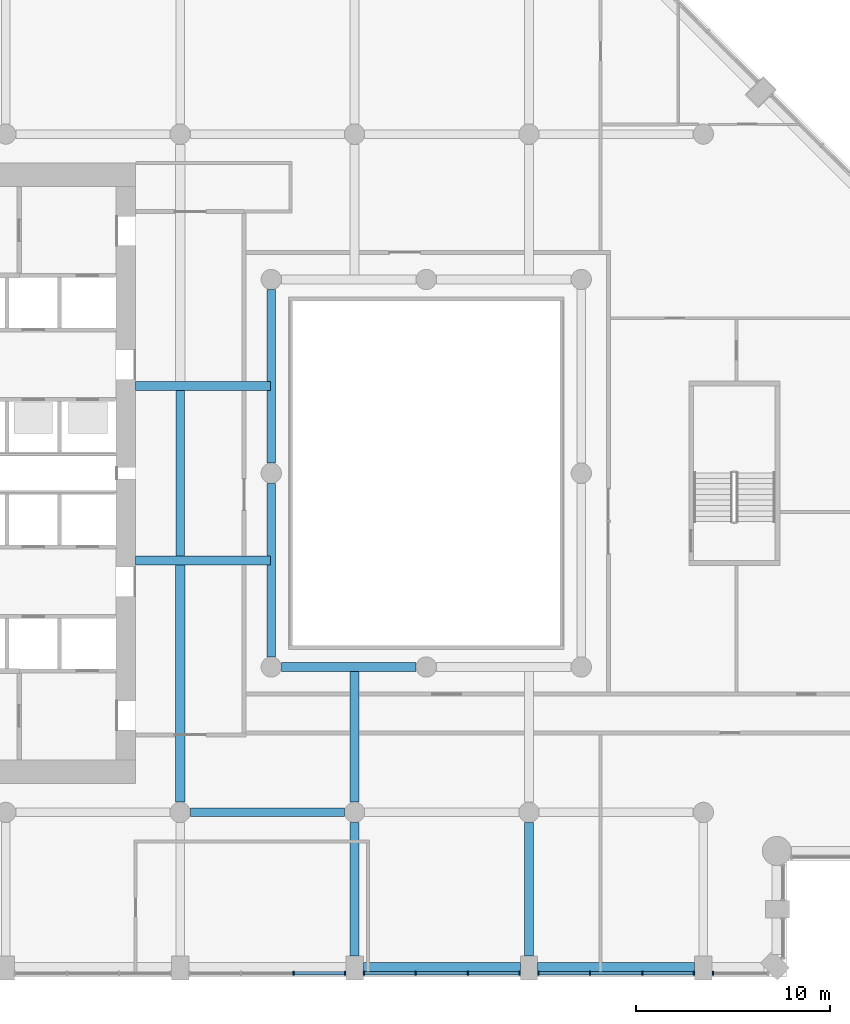
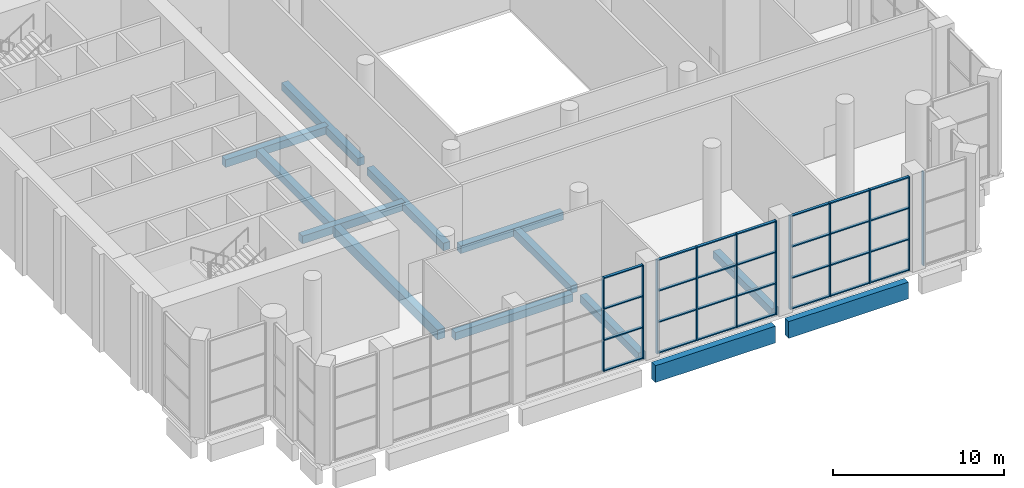
# One storey, part 3 of 22: 39 members, 13 beams, 4 elements without a shape of their own.
"""IFC4 building model written with IfcOpenShell, lengths in metres."""

from ifc_helpers import new_model, si_unit, direction, frame, origin, origin_2d, place, context, subcontext, project, spatial, rectangle, extrude, material, material_profile, profile_set, type_object, element, aggregate, save


model = new_model("IFC4")

# Units and contexts
model_context = context("Model", 3, precision=1e-05, world=origin(), true_north=direction((0.0, 1.0)))
body_context = subcontext(model_context, "Body", "Model", "MODEL_VIEW")
ifc_project = project(units=[si_unit("LENGTHUNIT", "METRE"), si_unit("AREAUNIT", "SQUARE_METRE"), si_unit("VOLUMEUNIT", "CUBIC_METRE"), si_unit("PLANEANGLEUNIT", "RADIAN"), si_unit("MASSUNIT", "GRAM", prefix="KILO")], contexts=[model_context])

# Site, building, storey
site_placement = place(None, origin())
site = spatial("IfcSite", under=ifc_project, at=site_placement, CompositionType="ELEMENT")
building_placement = place(site_placement, origin())
building = spatial("IfcBuilding", under=site, at=building_placement, Name="Cypress Arch Tower", CompositionType="ELEMENT")
storey_placement = place(building_placement, frame((0.0, 0.0, 145.5)))
storey = spatial("IfcBuildingStorey", under=building, at=storey_placement, Name="L32", CompositionType="ELEMENT", Elevation=145.5)

# Beams
ifc_material_1 = material(Name="Concrete C50/60", Category="concrete")
ifc_material_profile_1 = material_profile(ifc_material_1, rectangle(XDim=0.449951171875, YDim=0.550048828125, at=origin_2d()), Name="RC 450x550")
ifc_profile_set_1 = profile_set([ifc_material_profile_1], Name="Concrete C50/60")
beam_type_1 = type_object("IfcBeamType", Name="Floor beam RC 450x550 Concrete C50/60", PredefinedType="BEAM", material=ifc_profile_set_1)
for number, where, z_axis, x_axis, name in (
    (1, (-7.0, -9.47509765625, -0.574951171875), (0.0, 1.0, 0.0), (-1.0, 0.0, 0.0), "Floor beam L32 RB001"),
    (2, (-7.0, 0.52490234375, -0.574951171875), (0.0, 1.0, 0.0), (-1.0, 0.0, 0.0), "Floor beam L32 RB002"),
):
    element("IfcBeam", number, at=place(storey_placement, frame(where, z_axis=z_axis, x_axis=x_axis)), inside=storey, type_object=beam_type_1, Name=name, PredefinedType="BEAM", context=body_context, shape_type="SweptSolid", body=[
        extrude(rectangle(XDim=0.449951171875, YDim=0.550048828125, at=origin_2d()), origin(), (0.0, 0.0, 1.0), 8.9501953125),
    ])
beam_1_placement = place(storey_placement, frame((-6.47509765625, -10.0, -0.574951171875), z_axis=(1.0, 0.0, 0.0), x_axis=(0.0, 1.0, 0.0)))
element("IfcBeam", 3, at=beam_1_placement, inside=storey, type_object=beam_type_1, Name="Floor beam L32 RB005", PredefinedType="BEAM", context=body_context, shape_type="SweptSolid", body=[
    extrude(rectangle(XDim=0.449951171875, YDim=0.550048828125, at=origin_2d()), origin(), (0.0, 0.0, 1.0), 6.9501953125),
])
beam_2_placement = place(storey_placement, frame((-11.175048828125, -17.5, -0.574951171875), z_axis=(1.0, 0.0, 0.0), x_axis=(0.0, 1.0, 0.0)))
element("IfcBeam", 4, at=beam_2_placement, inside=storey, type_object=beam_type_1, Name="Floor beam L32 FB010", PredefinedType="BEAM", context=body_context, shape_type="SweptSolid", body=[
    extrude(rectangle(XDim=0.449951171875, YDim=0.550048828125, at=origin_2d()), origin(), (0.0, 0.0, 1.0), 7.949951171875),
])
for number, where, z_axis, x_axis, name in (
    (5, (-14.0, -4.5, -0.574951171875), (1.0, 0.0, 0.0), (0.0, 1.0, 0.0), "Floor beam L32 FB013"),
    (6, (-14.0, 4.5, -0.574951171875), (1.0, 0.0, 0.0), (0.0, 1.0, 0.0), "Floor beam L32 FB014"),
):
    element("IfcBeam", number, at=place(storey_placement, frame(where, z_axis=z_axis, x_axis=x_axis)), inside=storey, type_object=beam_type_1, Name=name, PredefinedType="BEAM", context=body_context, shape_type="SweptSolid", body=[
        extrude(rectangle(XDim=0.449951171875, YDim=0.550048828125, at=origin_2d()), origin(), (0.0, 0.0, 1.0), 6.949951171875),
    ])
beam_3_placement = place(storey_placement, frame((-11.699951171875, -4.27490234375, -0.574951171875), z_axis=(0.0, 1.0, 0.0), x_axis=(-1.0, 0.0, 0.0)))
element("IfcBeam", 7, at=beam_3_placement, inside=storey, type_object=beam_type_1, Name="Floor beam L32 FB023", PredefinedType="BEAM", context=body_context, shape_type="SweptSolid", body=[
    extrude(rectangle(XDim=0.449951171875, YDim=0.550048828125, at=origin_2d()), origin(), (0.0, 0.0, 1.0), 8.5498046875),
])
beam_4_placement = place(storey_placement, frame((-2.699951171875, -24.89990234375, -0.574951171875), z_axis=(0.0, 1.0, 0.0), x_axis=(-1.0, 0.0, 0.0)))
element("IfcBeam", 8, at=beam_4_placement, inside=storey, type_object=beam_type_1, Name="Floor beam L32 FB026", PredefinedType="BEAM", context=body_context, shape_type="SweptSolid", body=[
    extrude(rectangle(XDim=0.449951171875, YDim=0.550048828125, at=origin_2d()), origin(), (0.0, 0.0, 1.0), 6.875),
])
beam_5_placement = place(storey_placement, frame((-2.699951171875, -16.97509765625, -0.574951171875), z_axis=(0.0, 1.0, 0.0), x_axis=(-1.0, 0.0, 0.0)))
element("IfcBeam", 9, at=beam_5_placement, inside=storey, type_object=beam_type_1, Name="Floor beam L32 FB027", PredefinedType="BEAM", context=body_context, shape_type="SweptSolid", body=[
    extrude(rectangle(XDim=0.449951171875, YDim=0.550048828125, at=origin_2d()), origin(), (0.0, 0.0, 1.0), 6.75),
])
beam_6_placement = place(storey_placement, frame((6.300048828125, -24.89990234375, -0.574951171875), z_axis=(0.0, 1.0, 0.0), x_axis=(-1.0, 0.0, 0.0)))
element("IfcBeam", 10, at=beam_6_placement, inside=storey, type_object=beam_type_1, Name="Floor beam L32 FB030", PredefinedType="BEAM", context=body_context, shape_type="SweptSolid", body=[
    extrude(rectangle(XDim=0.449951171875, YDim=0.550048828125, at=origin_2d()), origin(), (0.0, 0.0, 1.0), 6.875),
])
ifc_material_2 = material(Name="Concrete C50/60", Category="concrete")
ifc_material_profile_2 = material_profile(ifc_material_2, rectangle(XDim=0.5, YDim=0.699951171875, at=origin_2d()), Name="RC 500x700")
ifc_profile_set_2 = profile_set([ifc_material_profile_2], Name="Concrete C50/60")
beam_type_2 = type_object("IfcBeamType", Name="Floor beam RC 500x700 Concrete C50/60", PredefinedType="BEAM", material=ifc_profile_set_2)
beam_7_placement = place(storey_placement, frame((-11.699951171875, -16.97509765625, -0.64990234375), z_axis=(0.0, 1.0, 0.0), x_axis=(-1.0, 0.0, 0.0)))
element("IfcBeam", 11, at=beam_7_placement, inside=storey, type_object=beam_type_2, Name="Floor beam L32 FB022", PredefinedType="BEAM", context=body_context, shape_type="SweptSolid", body=[
    extrude(rectangle(XDim=0.5, YDim=0.699951171875, at=origin_2d()), origin(), (0.0, 0.0, 1.0), 12.25),
])

# Curtain wall, members
ifc_material_3 = material(Name="Anodised aluminium, bronze finish, solar control laminated double glazing", Category="aluminium")
curtain_wall_type = type_object("IfcCurtainWallType", Name="Curtain wall CW3 sky lobby glazing", PredefinedType="NOTDEFINED", material=ifc_material_3)
curtain_wall_1_placement = place(storey_placement, origin())
curtain_wall_1 = element("IfcCurtainWall", 12, at=curtain_wall_1_placement, inside=storey, type_object=curtain_wall_type, Name="Curtain wall L32 A03.2.1", PredefinedType="NOTDEFINED")
ifc_material_4 = material(Name="Anodised aluminium, bronze finish", Category="aluminium")
ifc_material_profile_3 = material_profile(ifc_material_4, rectangle(XDim=0.219970703125, YDim=0.074951171875, at=origin_2d()), Name="Mullion 75x220")
ifc_profile_set_3 = profile_set([ifc_material_profile_3], Name="Anodised aluminium, bronze finish")
member_type_1 = type_object("IfcMemberType", Name="Mullion CW3 75x220", PredefinedType="MULLION", material=ifc_profile_set_3)
member_1_placement = place(storey_placement, frame((-5.85009765625, -25.800048828125, 0.0), z_axis=(0.0, 0.0, 1.0), x_axis=(0.0, 1.0, 0.0)))
member_1 = element("IfcMember", 13, at=member_1_placement, type_object=member_type_1, Name="CW3 mullion 3", PredefinedType="MULLION", context=body_context, shape_type="SweptSolid", body=[
    extrude(rectangle(XDim=0.219970703125, YDim=0.074951171875, at=origin_2d()), origin(), (0.0, 0.0, 1.0), 6.699951171875),
])
member_2_placement = place(storey_placement, frame((-3.1875, -25.800048828125, 0.0), z_axis=(0.0, 0.0, 1.0), x_axis=(0.0, 1.0, 0.0)))
member_2 = element("IfcMember", 14, at=member_2_placement, type_object=member_type_1, Name="CW3 mullion 4", PredefinedType="MULLION", context=body_context, shape_type="SweptSolid", body=[
    extrude(rectangle(XDim=0.219970703125, YDim=0.074951171875, at=origin_2d()), origin(), (0.0, 0.0, 1.0), 6.699951171875),
])

curtain_wall_2_placement = place(storey_placement, origin())
curtain_wall_2 = element("IfcCurtainWall", 15, at=curtain_wall_2_placement, inside=storey, type_object=curtain_wall_type, Name="Curtain wall L32 A03.3.1", PredefinedType="NOTDEFINED")
member_3_placement = place(storey_placement, frame((-2.21240234375, -25.800048828125, 0.0), z_axis=(0.0, 0.0, 1.0), x_axis=(0.0, 1.0, 0.0)))
member_3 = element("IfcMember", 16, at=member_3_placement, type_object=member_type_1, Name="CW3 mullion 1", PredefinedType="MULLION", context=body_context, shape_type="SweptSolid", body=[
    extrude(rectangle(XDim=0.219970703125, YDim=0.074951171875, at=origin_2d()), origin(), (0.0, 0.0, 1.0), 6.699951171875),
])
member_4_placement = place(storey_placement, frame((0.449951171875, -25.800048828125, 0.0), z_axis=(0.0, 0.0, 1.0), x_axis=(0.0, 1.0, 0.0)))
member_4 = element("IfcMember", 17, at=member_4_placement, type_object=member_type_1, Name="CW3 mullion 2", PredefinedType="MULLION", context=body_context, shape_type="SweptSolid", body=[
    extrude(rectangle(XDim=0.219970703125, YDim=0.074951171875, at=origin_2d()), origin(), (0.0, 0.0, 1.0), 6.699951171875),
])
member_5_placement = place(storey_placement, frame((3.14990234375, -25.800048828125, 0.0), z_axis=(0.0, 0.0, 1.0), x_axis=(0.0, 1.0, 0.0)))
member_5 = element("IfcMember", 18, at=member_5_placement, type_object=member_type_1, Name="CW3 mullion 3", PredefinedType="MULLION", context=body_context, shape_type="SweptSolid", body=[
    extrude(rectangle(XDim=0.219970703125, YDim=0.074951171875, at=origin_2d()), origin(), (0.0, 0.0, 1.0), 6.699951171875),
])
member_6_placement = place(storey_placement, frame((5.8125, -25.800048828125, 0.0), z_axis=(0.0, 0.0, 1.0), x_axis=(0.0, 1.0, 0.0)))
member_6 = element("IfcMember", 19, at=member_6_placement, type_object=member_type_1, Name="CW3 mullion 4", PredefinedType="MULLION", context=body_context, shape_type="SweptSolid", body=[
    extrude(rectangle(XDim=0.219970703125, YDim=0.074951171875, at=origin_2d()), origin(), (0.0, 0.0, 1.0), 6.699951171875),
])

curtain_wall_3_placement = place(storey_placement, origin())
curtain_wall_3 = element("IfcCurtainWall", 20, at=curtain_wall_3_placement, inside=storey, type_object=curtain_wall_type, Name="Curtain wall L32 A03.4.1", PredefinedType="NOTDEFINED")
member_7_placement = place(storey_placement, frame((6.78759765625, -25.800048828125, 0.0), z_axis=(0.0, 0.0, 1.0), x_axis=(0.0, 1.0, 0.0)))
member_7 = element("IfcMember", 21, at=member_7_placement, type_object=member_type_1, Name="CW3 mullion 1", PredefinedType="MULLION", context=body_context, shape_type="SweptSolid", body=[
    extrude(rectangle(XDim=0.219970703125, YDim=0.074951171875, at=origin_2d()), origin(), (0.0, 0.0, 1.0), 6.699951171875),
])
member_8_placement = place(storey_placement, frame((9.449951171875, -25.800048828125, 0.0), z_axis=(0.0, 0.0, 1.0), x_axis=(0.0, 1.0, 0.0)))
member_8 = element("IfcMember", 22, at=member_8_placement, type_object=member_type_1, Name="CW3 mullion 2", PredefinedType="MULLION", context=body_context, shape_type="SweptSolid", body=[
    extrude(rectangle(XDim=0.219970703125, YDim=0.074951171875, at=origin_2d()), origin(), (0.0, 0.0, 1.0), 6.699951171875),
])
member_9_placement = place(storey_placement, frame((12.14990234375, -25.800048828125, 0.0), z_axis=(0.0, 0.0, 1.0), x_axis=(0.0, 1.0, 0.0)))
member_9 = element("IfcMember", 23, at=member_9_placement, type_object=member_type_1, Name="CW3 mullion 3", PredefinedType="MULLION", context=body_context, shape_type="SweptSolid", body=[
    extrude(rectangle(XDim=0.219970703125, YDim=0.074951171875, at=origin_2d()), origin(), (0.0, 0.0, 1.0), 6.699951171875),
])
member_10_placement = place(storey_placement, frame((14.8125, -25.800048828125, 0.0), z_axis=(0.0, 0.0, 1.0), x_axis=(0.0, 1.0, 0.0)))
member_10 = element("IfcMember", 24, at=member_10_placement, type_object=member_type_1, Name="CW3 mullion 4", PredefinedType="MULLION", context=body_context, shape_type="SweptSolid", body=[
    extrude(rectangle(XDim=0.219970703125, YDim=0.074951171875, at=origin_2d()), origin(), (0.0, 0.0, 1.0), 6.699951171875),
])

# Curtain wall, member
curtain_wall_4_placement = place(storey_placement, origin())
curtain_wall_4 = element("IfcCurtainWall", 25, at=curtain_wall_4_placement, inside=storey, type_object=curtain_wall_type, Name="Curtain wall L32 A03.5.1", PredefinedType="NOTDEFINED")
member_11_placement = place(storey_placement, frame((15.78759765625, -25.800048828125, 0.0), z_axis=(0.0, 0.0, 1.0), x_axis=(0.0, 1.0, 0.0)))
member_11 = element("IfcMember", 26, at=member_11_placement, type_object=member_type_1, Name="CW3 mullion 1", PredefinedType="MULLION", context=body_context, shape_type="SweptSolid", body=[
    extrude(rectangle(XDim=0.219970703125, YDim=0.074951171875, at=origin_2d()), origin(), (0.0, 0.0, 1.0), 6.699951171875),
])
aggregate(curtain_wall_4, [member_11])

# Beams
ifc_material_5 = material(Name="Concrete C50/60", Category="concrete")
ifc_material_profile_4 = material_profile(ifc_material_5, rectangle(XDim=0.449951171875, YDim=1.199951171875, at=origin_2d()), Name="RC 450x1200")
ifc_profile_set_4 = profile_set([ifc_material_profile_4], Name="Concrete C50/60")
beam_type_3 = type_object("IfcBeamType", Name="Spandrel beam RC 450x1200 Concrete C50/60", PredefinedType="SPANDREL", material=ifc_profile_set_4)
for number, where, z_axis, x_axis, name in (
    (27, (-2.25, -25.47509765625, -1.550048828125), (1.0, 0.0, 0.0), (0.0, 1.0, 0.0), "Spandrel beam L32 BA03-3"),
    (28, (6.75, -25.47509765625, -1.550048828125), (1.0, 0.0, 0.0), (0.0, 1.0, 0.0), "Spandrel beam L32 BA03-4"),
):
    element("IfcBeam", number, at=place(storey_placement, frame(where, z_axis=z_axis, x_axis=x_axis)), inside=storey, type_object=beam_type_3, Name=name, PredefinedType="SPANDREL", context=body_context, shape_type="SweptSolid", body=[
        extrude(rectangle(XDim=0.449951171875, YDim=1.199951171875, at=origin_2d()), origin(), (0.0, 0.0, 1.0), 8.10009765625),
    ])

# Member
ifc_material_6 = material(Name="Anodised aluminium, bronze finish", Category="aluminium")
ifc_material_profile_5 = material_profile(ifc_material_6, rectangle(XDim=0.179931640625, YDim=0.074951171875, at=origin_2d()), Name="Transom 75x180")
ifc_profile_set_5 = profile_set([ifc_material_profile_5], Name="Anodised aluminium, bronze finish")
member_type_2 = type_object("IfcMemberType", Name="Transom CW3 75x180", PredefinedType="USERDEFINED", material=ifc_profile_set_5)
member_12_placement = place(storey_placement, frame((-5.8125, -25.800048828125, 0.03759765625), z_axis=(1.0, 0.0, 0.0), x_axis=(0.0, 1.0, 0.0)))
member_12 = element("IfcMember", 29, at=member_12_placement, type_object=member_type_2, Name="CW3 transom 3.1", ObjectType="TRANSOM", PredefinedType="USERDEFINED", context=body_context, shape_type="SweptSolid", body=[
    extrude(rectangle(XDim=0.179931640625, YDim=0.074951171875, at=origin_2d()), origin(), (0.0, 0.0, 1.0), 2.58740234375),
])

member_13_placement = place(storey_placement, frame((-5.8125, -25.800048828125, 2.2333984375), z_axis=(1.0, 0.0, 0.0), x_axis=(0.0, 1.0, 0.0)))
member_13 = element("IfcMember", 30, at=member_13_placement, type_object=member_type_2, Name="CW3 transom 3.2", ObjectType="TRANSOM", PredefinedType="USERDEFINED", context=body_context, shape_type="SweptSolid", body=[
    extrude(rectangle(XDim=0.179931640625, YDim=0.074951171875, at=origin_2d()), origin(), (0.0, 0.0, 1.0), 2.58740234375),
])

member_14_placement = place(storey_placement, frame((-5.8125, -25.800048828125, 4.466552734375), z_axis=(1.0, 0.0, 0.0), x_axis=(0.0, 1.0, 0.0)))
member_14 = element("IfcMember", 31, at=member_14_placement, type_object=member_type_2, Name="CW3 transom 3.3", ObjectType="TRANSOM", PredefinedType="USERDEFINED", context=body_context, shape_type="SweptSolid", body=[
    extrude(rectangle(XDim=0.179931640625, YDim=0.074951171875, at=origin_2d()), origin(), (0.0, 0.0, 1.0), 2.58740234375),
])

member_15_placement = place(storey_placement, frame((-5.8125, -25.800048828125, 6.66259765625), z_axis=(1.0, 0.0, 0.0), x_axis=(0.0, 1.0, 0.0)))
member_15 = element("IfcMember", 32, at=member_15_placement, type_object=member_type_2, Name="CW3 transom 3.4", ObjectType="TRANSOM", PredefinedType="USERDEFINED", context=body_context, shape_type="SweptSolid", body=[
    extrude(rectangle(XDim=0.179931640625, YDim=0.074951171875, at=origin_2d()), origin(), (0.0, 0.0, 1.0), 2.58740234375),
])

aggregate(curtain_wall_1, [member_1, member_2, member_12, member_13, member_14, member_15])

member_16_placement = place(storey_placement, frame((-2.175048828125, -25.800048828125, 0.03759765625), z_axis=(1.0, 0.0, 0.0), x_axis=(0.0, 1.0, 0.0)))
member_16 = element("IfcMember", 33, at=member_16_placement, type_object=member_type_2, Name="CW3 transom 1.1", ObjectType="TRANSOM", PredefinedType="USERDEFINED", context=body_context, shape_type="SweptSolid", body=[
    extrude(rectangle(XDim=0.179931640625, YDim=0.074951171875, at=origin_2d()), origin(), (0.0, 0.0, 1.0), 2.587646484375),
])

member_17_placement = place(storey_placement, frame((-2.175048828125, -25.800048828125, 2.2333984375), z_axis=(1.0, 0.0, 0.0), x_axis=(0.0, 1.0, 0.0)))
member_17 = element("IfcMember", 34, at=member_17_placement, type_object=member_type_2, Name="CW3 transom 1.2", ObjectType="TRANSOM", PredefinedType="USERDEFINED", context=body_context, shape_type="SweptSolid", body=[
    extrude(rectangle(XDim=0.179931640625, YDim=0.074951171875, at=origin_2d()), origin(), (0.0, 0.0, 1.0), 2.587646484375),
])

member_18_placement = place(storey_placement, frame((-2.175048828125, -25.800048828125, 4.466552734375), z_axis=(1.0, 0.0, 0.0), x_axis=(0.0, 1.0, 0.0)))
member_18 = element("IfcMember", 35, at=member_18_placement, type_object=member_type_2, Name="CW3 transom 1.3", ObjectType="TRANSOM", PredefinedType="USERDEFINED", context=body_context, shape_type="SweptSolid", body=[
    extrude(rectangle(XDim=0.179931640625, YDim=0.074951171875, at=origin_2d()), origin(), (0.0, 0.0, 1.0), 2.587646484375),
])

member_19_placement = place(storey_placement, frame((-2.175048828125, -25.800048828125, 6.66259765625), z_axis=(1.0, 0.0, 0.0), x_axis=(0.0, 1.0, 0.0)))
member_19 = element("IfcMember", 36, at=member_19_placement, type_object=member_type_2, Name="CW3 transom 1.4", ObjectType="TRANSOM", PredefinedType="USERDEFINED", context=body_context, shape_type="SweptSolid", body=[
    extrude(rectangle(XDim=0.179931640625, YDim=0.074951171875, at=origin_2d()), origin(), (0.0, 0.0, 1.0), 2.587646484375),
])

member_20_placement = place(storey_placement, frame((0.487548828125, -25.800048828125, 0.03759765625), z_axis=(1.0, 0.0, 0.0), x_axis=(0.0, 1.0, 0.0)))
member_20 = element("IfcMember", 37, at=member_20_placement, type_object=member_type_2, Name="CW3 transom 2.1", ObjectType="TRANSOM", PredefinedType="USERDEFINED", context=body_context, shape_type="SweptSolid", body=[
    extrude(rectangle(XDim=0.179931640625, YDim=0.074951171875, at=origin_2d()), origin(), (0.0, 0.0, 1.0), 2.625),
])

member_21_placement = place(storey_placement, frame((0.487548828125, -25.800048828125, 2.2333984375), z_axis=(1.0, 0.0, 0.0), x_axis=(0.0, 1.0, 0.0)))
member_21 = element("IfcMember", 38, at=member_21_placement, type_object=member_type_2, Name="CW3 transom 2.2", ObjectType="TRANSOM", PredefinedType="USERDEFINED", context=body_context, shape_type="SweptSolid", body=[
    extrude(rectangle(XDim=0.179931640625, YDim=0.074951171875, at=origin_2d()), origin(), (0.0, 0.0, 1.0), 2.625),
])

member_22_placement = place(storey_placement, frame((0.487548828125, -25.800048828125, 4.466552734375), z_axis=(1.0, 0.0, 0.0), x_axis=(0.0, 1.0, 0.0)))
member_22 = element("IfcMember", 39, at=member_22_placement, type_object=member_type_2, Name="CW3 transom 2.3", ObjectType="TRANSOM", PredefinedType="USERDEFINED", context=body_context, shape_type="SweptSolid", body=[
    extrude(rectangle(XDim=0.179931640625, YDim=0.074951171875, at=origin_2d()), origin(), (0.0, 0.0, 1.0), 2.625),
])

member_23_placement = place(storey_placement, frame((0.487548828125, -25.800048828125, 6.66259765625), z_axis=(1.0, 0.0, 0.0), x_axis=(0.0, 1.0, 0.0)))
member_23 = element("IfcMember", 40, at=member_23_placement, type_object=member_type_2, Name="CW3 transom 2.4", ObjectType="TRANSOM", PredefinedType="USERDEFINED", context=body_context, shape_type="SweptSolid", body=[
    extrude(rectangle(XDim=0.179931640625, YDim=0.074951171875, at=origin_2d()), origin(), (0.0, 0.0, 1.0), 2.625),
])

member_24_placement = place(storey_placement, frame((3.1875, -25.800048828125, 0.03759765625), z_axis=(1.0, 0.0, 0.0), x_axis=(0.0, 1.0, 0.0)))
member_24 = element("IfcMember", 41, at=member_24_placement, type_object=member_type_2, Name="CW3 transom 3.1", ObjectType="TRANSOM", PredefinedType="USERDEFINED", context=body_context, shape_type="SweptSolid", body=[
    extrude(rectangle(XDim=0.179931640625, YDim=0.074951171875, at=origin_2d()), origin(), (0.0, 0.0, 1.0), 2.58740234375),
])

member_25_placement = place(storey_placement, frame((3.1875, -25.800048828125, 2.2333984375), z_axis=(1.0, 0.0, 0.0), x_axis=(0.0, 1.0, 0.0)))
member_25 = element("IfcMember", 42, at=member_25_placement, type_object=member_type_2, Name="CW3 transom 3.2", ObjectType="TRANSOM", PredefinedType="USERDEFINED", context=body_context, shape_type="SweptSolid", body=[
    extrude(rectangle(XDim=0.179931640625, YDim=0.074951171875, at=origin_2d()), origin(), (0.0, 0.0, 1.0), 2.58740234375),
])

member_26_placement = place(storey_placement, frame((3.1875, -25.800048828125, 4.466552734375), z_axis=(1.0, 0.0, 0.0), x_axis=(0.0, 1.0, 0.0)))
member_26 = element("IfcMember", 43, at=member_26_placement, type_object=member_type_2, Name="CW3 transom 3.3", ObjectType="TRANSOM", PredefinedType="USERDEFINED", context=body_context, shape_type="SweptSolid", body=[
    extrude(rectangle(XDim=0.179931640625, YDim=0.074951171875, at=origin_2d()), origin(), (0.0, 0.0, 1.0), 2.58740234375),
])

member_27_placement = place(storey_placement, frame((3.1875, -25.800048828125, 6.66259765625), z_axis=(1.0, 0.0, 0.0), x_axis=(0.0, 1.0, 0.0)))
member_27 = element("IfcMember", 44, at=member_27_placement, type_object=member_type_2, Name="CW3 transom 3.4", ObjectType="TRANSOM", PredefinedType="USERDEFINED", context=body_context, shape_type="SweptSolid", body=[
    extrude(rectangle(XDim=0.179931640625, YDim=0.074951171875, at=origin_2d()), origin(), (0.0, 0.0, 1.0), 2.58740234375),
])

aggregate(curtain_wall_2, [member_3, member_4, member_5, member_6, member_16, member_17, member_18, member_19, member_20, member_21, member_22, member_23, member_24, member_25, member_26, member_27])

member_28_placement = place(storey_placement, frame((6.824951171875, -25.800048828125, 0.03759765625), z_axis=(1.0, 0.0, 0.0), x_axis=(0.0, 1.0, 0.0)))
member_28 = element("IfcMember", 45, at=member_28_placement, type_object=member_type_2, Name="CW3 transom 1.1", ObjectType="TRANSOM", PredefinedType="USERDEFINED", context=body_context, shape_type="SweptSolid", body=[
    extrude(rectangle(XDim=0.179931640625, YDim=0.074951171875, at=origin_2d()), origin(), (0.0, 0.0, 1.0), 2.587646484375),
])

member_29_placement = place(storey_placement, frame((6.824951171875, -25.800048828125, 2.2333984375), z_axis=(1.0, 0.0, 0.0), x_axis=(0.0, 1.0, 0.0)))
member_29 = element("IfcMember", 46, at=member_29_placement, type_object=member_type_2, Name="CW3 transom 1.2", ObjectType="TRANSOM", PredefinedType="USERDEFINED", context=body_context, shape_type="SweptSolid", body=[
    extrude(rectangle(XDim=0.179931640625, YDim=0.074951171875, at=origin_2d()), origin(), (0.0, 0.0, 1.0), 2.587646484375),
])

member_30_placement = place(storey_placement, frame((6.824951171875, -25.800048828125, 4.466552734375), z_axis=(1.0, 0.0, 0.0), x_axis=(0.0, 1.0, 0.0)))
member_30 = element("IfcMember", 47, at=member_30_placement, type_object=member_type_2, Name="CW3 transom 1.3", ObjectType="TRANSOM", PredefinedType="USERDEFINED", context=body_context, shape_type="SweptSolid", body=[
    extrude(rectangle(XDim=0.179931640625, YDim=0.074951171875, at=origin_2d()), origin(), (0.0, 0.0, 1.0), 2.587646484375),
])

member_31_placement = place(storey_placement, frame((6.824951171875, -25.800048828125, 6.66259765625), z_axis=(1.0, 0.0, 0.0), x_axis=(0.0, 1.0, 0.0)))
member_31 = element("IfcMember", 48, at=member_31_placement, type_object=member_type_2, Name="CW3 transom 1.4", ObjectType="TRANSOM", PredefinedType="USERDEFINED", context=body_context, shape_type="SweptSolid", body=[
    extrude(rectangle(XDim=0.179931640625, YDim=0.074951171875, at=origin_2d()), origin(), (0.0, 0.0, 1.0), 2.587646484375),
])

member_32_placement = place(storey_placement, frame((9.487548828125, -25.800048828125, 0.03759765625), z_axis=(1.0, 0.0, 0.0), x_axis=(0.0, 1.0, 0.0)))
member_32 = element("IfcMember", 49, at=member_32_placement, type_object=member_type_2, Name="CW3 transom 2.1", ObjectType="TRANSOM", PredefinedType="USERDEFINED", context=body_context, shape_type="SweptSolid", body=[
    extrude(rectangle(XDim=0.179931640625, YDim=0.074951171875, at=origin_2d()), origin(), (0.0, 0.0, 1.0), 2.625),
])

member_33_placement = place(storey_placement, frame((9.487548828125, -25.800048828125, 2.2333984375), z_axis=(1.0, 0.0, 0.0), x_axis=(0.0, 1.0, 0.0)))
member_33 = element("IfcMember", 50, at=member_33_placement, type_object=member_type_2, Name="CW3 transom 2.2", ObjectType="TRANSOM", PredefinedType="USERDEFINED", context=body_context, shape_type="SweptSolid", body=[
    extrude(rectangle(XDim=0.179931640625, YDim=0.074951171875, at=origin_2d()), origin(), (0.0, 0.0, 1.0), 2.625),
])

member_34_placement = place(storey_placement, frame((9.487548828125, -25.800048828125, 4.466552734375), z_axis=(1.0, 0.0, 0.0), x_axis=(0.0, 1.0, 0.0)))
member_34 = element("IfcMember", 51, at=member_34_placement, type_object=member_type_2, Name="CW3 transom 2.3", ObjectType="TRANSOM", PredefinedType="USERDEFINED", context=body_context, shape_type="SweptSolid", body=[
    extrude(rectangle(XDim=0.179931640625, YDim=0.074951171875, at=origin_2d()), origin(), (0.0, 0.0, 1.0), 2.625),
])

member_35_placement = place(storey_placement, frame((9.487548828125, -25.800048828125, 6.66259765625), z_axis=(1.0, 0.0, 0.0), x_axis=(0.0, 1.0, 0.0)))
member_35 = element("IfcMember", 52, at=member_35_placement, type_object=member_type_2, Name="CW3 transom 2.4", ObjectType="TRANSOM", PredefinedType="USERDEFINED", context=body_context, shape_type="SweptSolid", body=[
    extrude(rectangle(XDim=0.179931640625, YDim=0.074951171875, at=origin_2d()), origin(), (0.0, 0.0, 1.0), 2.625),
])

member_36_placement = place(storey_placement, frame((12.1875, -25.800048828125, 0.03759765625), z_axis=(1.0, 0.0, 0.0), x_axis=(0.0, 1.0, 0.0)))
member_36 = element("IfcMember", 53, at=member_36_placement, type_object=member_type_2, Name="CW3 transom 3.1", ObjectType="TRANSOM", PredefinedType="USERDEFINED", context=body_context, shape_type="SweptSolid", body=[
    extrude(rectangle(XDim=0.179931640625, YDim=0.074951171875, at=origin_2d()), origin(), (0.0, 0.0, 1.0), 2.58740234375),
])

member_37_placement = place(storey_placement, frame((12.1875, -25.800048828125, 2.2333984375), z_axis=(1.0, 0.0, 0.0), x_axis=(0.0, 1.0, 0.0)))
member_37 = element("IfcMember", 54, at=member_37_placement, type_object=member_type_2, Name="CW3 transom 3.2", ObjectType="TRANSOM", PredefinedType="USERDEFINED", context=body_context, shape_type="SweptSolid", body=[
    extrude(rectangle(XDim=0.179931640625, YDim=0.074951171875, at=origin_2d()), origin(), (0.0, 0.0, 1.0), 2.58740234375),
])

member_38_placement = place(storey_placement, frame((12.1875, -25.800048828125, 4.466552734375), z_axis=(1.0, 0.0, 0.0), x_axis=(0.0, 1.0, 0.0)))
member_38 = element("IfcMember", 55, at=member_38_placement, type_object=member_type_2, Name="CW3 transom 3.3", ObjectType="TRANSOM", PredefinedType="USERDEFINED", context=body_context, shape_type="SweptSolid", body=[
    extrude(rectangle(XDim=0.179931640625, YDim=0.074951171875, at=origin_2d()), origin(), (0.0, 0.0, 1.0), 2.58740234375),
])

member_39_placement = place(storey_placement, frame((12.1875, -25.800048828125, 6.66259765625), z_axis=(1.0, 0.0, 0.0), x_axis=(0.0, 1.0, 0.0)))
member_39 = element("IfcMember", 56, at=member_39_placement, type_object=member_type_2, Name="CW3 transom 3.4", ObjectType="TRANSOM", PredefinedType="USERDEFINED", context=body_context, shape_type="SweptSolid", body=[
    extrude(rectangle(XDim=0.179931640625, YDim=0.074951171875, at=origin_2d()), origin(), (0.0, 0.0, 1.0), 2.58740234375),
])

aggregate(curtain_wall_3, [member_7, member_8, member_9, member_10, member_28, member_29, member_30, member_31, member_32, member_33, member_34, member_35, member_36, member_37, member_38, member_39])

save(model, "model.ifc")
